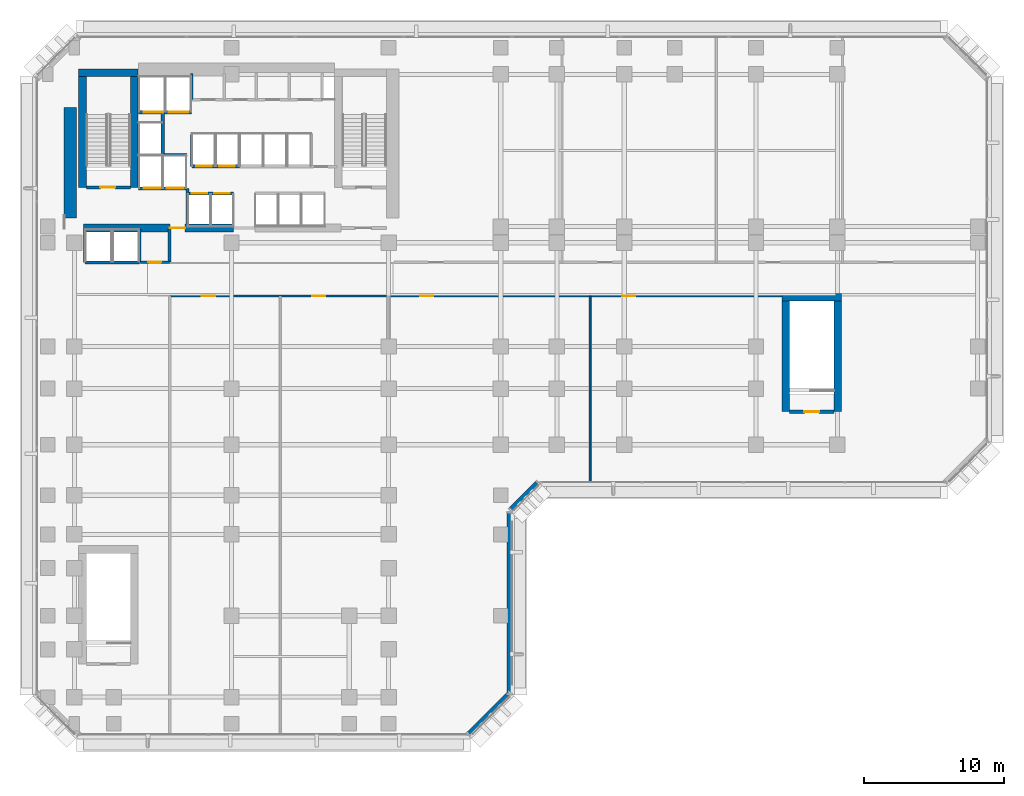
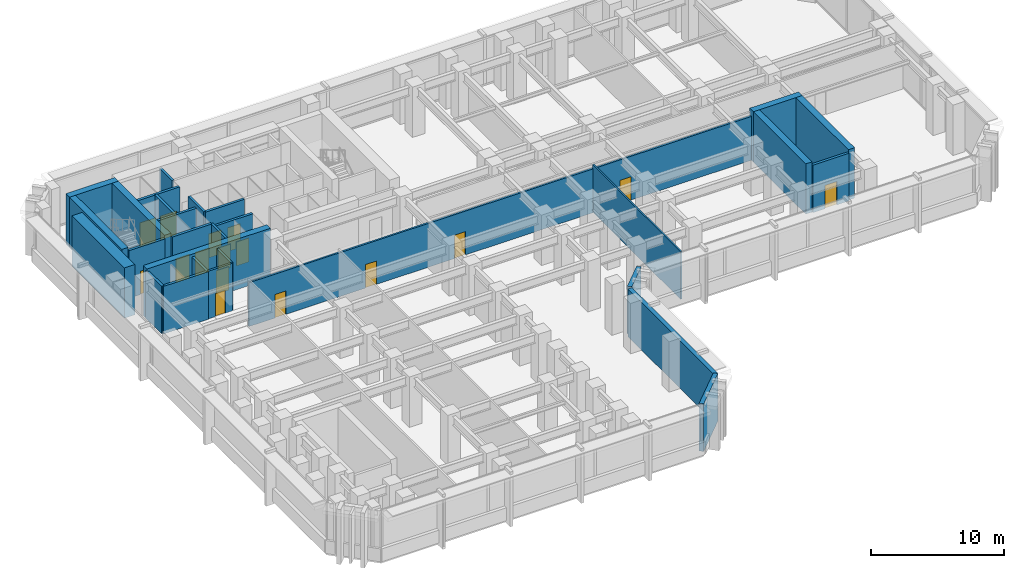
# One storey, part 7 of 14: 29 walls, 16 doors, 16 openings.
"""IFC4 building model written with IfcOpenShell, lengths in metres."""

from ifc_helpers import new_model, si_unit, direction, frame, frame_2d, origin, place, context, subcontext, project, spatial, rectangle, extrude, material, layer, layer_set, type_object, element, fill, save


model = new_model("IFC4")

# Units and contexts
model_context = context("Model", 3, precision=1e-05, world=origin(), true_north=direction((0.0, 1.0)))
body_context = subcontext(model_context, "Body", "Model", "MODEL_VIEW")
ifc_project = project(units=[si_unit("LENGTHUNIT", "METRE"), si_unit("AREAUNIT", "SQUARE_METRE"), si_unit("VOLUMEUNIT", "CUBIC_METRE"), si_unit("PLANEANGLEUNIT", "RADIAN"), si_unit("MASSUNIT", "GRAM", prefix="KILO")], contexts=[model_context])

# Site, building, storey
site_placement = place(None, origin())
site = spatial("IfcSite", under=ifc_project, at=site_placement, CompositionType="ELEMENT")
building_placement = place(site_placement, origin())
building = spatial("IfcBuilding", under=site, at=building_placement, Name="Kefirva Bronze Tower", CompositionType="ELEMENT")
storey_placement = place(building_placement, frame((0.0, 0.0, 25.739990234375)))
storey = spatial("IfcBuildingStorey", under=building, at=storey_placement, Name="L05", CompositionType="ELEMENT", Elevation=25.739990234375)

# Wall
ifc_material_1 = material(Name="Gypsum acoustic partition")
ifc_layer_1 = layer(ifc_material_1, 0.1298828125, Name="Gypsum acoustic partition")
ifc_layer_set_1 = layer_set([ifc_layer_1], Name="Gypsum acoustic partition")
wall_type_1 = type_object("IfcWallType", Name="Acoustic Office Partition 130mm", PredefinedType="PARTITIONING", material=ifc_layer_set_1)
wall_1_placement = place(storey_placement, frame((37.570068359375, 16.18994140625, 0.0), z_axis=(0.0, 0.0, 1.0), x_axis=(0.0, 1.0, 0.0)))
element("IfcWall", 1, at=wall_1_placement, inside=storey, type_object=wall_type_1, Name="L05 Partition W-L05-SDV3", PredefinedType="PARTITIONING", context=body_context, shape_type="SweptSolid", body=[
    extrude(rectangle(XDim=13.2099609375, YDim=0.1298828125, at=frame_2d((6.60498046875, 0.0))), origin(), (0.0, 0.0, 1.0), 4.3701171875),
])

# Wall, opening, door
ifc_material_2 = material(Name="Gypsum fireboard shaftwall")
ifc_layer_2 = layer(ifc_material_2, 0.219970703125, Name="Gypsum fireboard shaftwall")
ifc_layer_set_2 = layer_set([ifc_layer_2], Name="Gypsum fireboard shaftwall")
wall_type_2 = type_object("IfcWallType", Name="Fire-Rated Shaft Enclosure Wall 220mm", PredefinedType="PARTITIONING", material=ifc_layer_set_2)
wall_2_placement = place(storey_placement, frame((1.64990234375, 37.14990234375, 0.0), z_axis=(0.0, 0.0, 1.0), x_axis=(1.0, 0.0, 0.0)))
wall_2 = element("IfcWall", 2, at=wall_2_placement, inside=storey, type_object=wall_type_2, Name="L05 Partition W-L05-ST1S", PredefinedType="PARTITIONING", context=body_context, shape_type="SweptSolid", body=[
    extrude(rectangle(XDim=3.150146484375, YDim=0.219970703125, at=frame_2d((1.5751953125, 0.0))), origin(), (0.0, 0.0, 1.0), 4.3701171875),
])
opening_1_placement = place(wall_2_placement, frame((2.050048828125, 0.0, 0.0), z_axis=(0.0, 0.0, 1.0), x_axis=(-1.0, 0.0, 0.0)))
opening_1 = element("IfcOpeningElement", 3, at=opening_1_placement, cuts=wall_2, Name="Opening L05-D001", PredefinedType="OPENING", context=body_context, shape_type="SweptSolid", body=[
    extrude(rectangle(XDim=1.050048828125, YDim=2.14990234375, at=frame_2d((0.52490234375, 1.074951171875))), frame((0.0, 0.1201171875, 0.0), z_axis=(0.0, -1.0, 0.0), x_axis=(1.0, 0.0, 0.0)), (0.0, 0.0, 1.0), 0.239990234375),
])
ifc_material_3 = material(Name="Painted galvanized steel", Category="steel")
door_type_1 = type_object("IfcDoorType", Name="Fire Stair Enclosure Door 1050x2150 FD90S", OperationType="NOTDEFINED", PredefinedType="DOOR", material=ifc_material_3)
door_1_placement = place(opening_1_placement, origin())
door_1 = element("IfcDoor", 4, at=door_1_placement, inside=storey, type_object=door_type_1, Name="Door L05-D001", OperationType="SINGLE_SWING_LEFT", OverallHeight=2.14990234375, OverallWidth=1.050048828125, PredefinedType="DOOR", context=body_context, shape_type="SweptSolid", body=[
    extrude(rectangle(XDim=1.050048828125, YDim=2.14990234375, at=frame_2d((0.52490234375, 1.074951171875))), frame((0.0, 0.02490234375, 0.0), z_axis=(0.0, -1.0, 0.0), x_axis=(1.0, 0.0, 0.0)), (0.0, 0.0, 1.0), 0.050048828125),
])
fill(opening_1, door_1)

# Wall, openings, doors
wall_3_placement = place(storey_placement, frame((5.3798828125, 37.080078125, 0.0), z_axis=(0.0, 0.0, 1.0), x_axis=(1.0, 0.0, 0.0)))
wall_3 = element("IfcWall", 5, at=wall_3_placement, inside=storey, type_object=wall_type_2, Name="L05 Partition W-L05-FFS", PredefinedType="PARTITIONING", context=body_context, shape_type="SweptSolid", body=[
    extrude(rectangle(XDim=3.460205078125, YDim=0.219970703125, at=frame_2d((1.72998046875, 0.0))), origin(), (0.0, 0.0, 1.0), 4.3701171875),
])
opening_2_placement = place(wall_3_placement, frame((1.550048828125, 0.0, 0.0), z_axis=(0.0, 0.0, 1.0), x_axis=(-1.0, 0.0, 0.0)))
opening_2 = element("IfcOpeningElement", 6, at=opening_2_placement, cuts=wall_3, Name="Opening L05-LD-FF1", PredefinedType="OPENING", context=body_context, shape_type="SweptSolid", body=[
    extrude(rectangle(XDim=1.199951171875, YDim=2.199951171875, at=frame_2d((0.60009765625, 1.10009765625))), frame((0.0, 0.1201171875, 0.0), z_axis=(0.0, -1.0, 0.0), x_axis=(1.0, 0.0, 0.0)), (0.0, 0.0, 1.0), 0.239990234375),
])
opening_3_placement = place(wall_3_placement, frame((3.219970703125, 0.0, 0.0), z_axis=(0.0, 0.0, 1.0), x_axis=(-1.0, 0.0, 0.0)))
opening_3 = element("IfcOpeningElement", 7, at=opening_3_placement, cuts=wall_3, Name="Opening L05-LD-FF2", PredefinedType="OPENING", context=body_context, shape_type="SweptSolid", body=[
    extrude(rectangle(XDim=1.199951171875, YDim=2.199951171875, at=frame_2d((0.60009765625, 1.10009765625))), frame((0.0, 0.1201171875, 0.0), z_axis=(0.0, -1.0, 0.0), x_axis=(1.0, 0.0, 0.0)), (0.0, 0.0, 1.0), 0.239990234375),
])
ifc_material_4 = material(Name="Stainless steel 316", Category="steel")
door_type_2 = type_object("IfcDoorType", Name="Firefighting Lift Sliding Door 1200x2200", OperationType="SLIDING_TO_RIGHT", PredefinedType="DOOR", material=ifc_material_4)
door_2_placement = place(opening_2_placement, origin())
door_2 = element("IfcDoor", 8, at=door_2_placement, inside=storey, type_object=door_type_2, Name="Door L05-LD-FF1", OperationType="SLIDING_TO_RIGHT", OverallHeight=2.199951171875, OverallWidth=1.199951171875, PredefinedType="DOOR", context=body_context, shape_type="SweptSolid", body=[
    extrude(rectangle(XDim=1.199951171875, YDim=2.199951171875, at=frame_2d((0.60009765625, 1.10009765625))), frame((0.0, 0.02490234375, 0.0), z_axis=(0.0, -1.0, 0.0), x_axis=(1.0, 0.0, 0.0)), (0.0, 0.0, 1.0), 0.050048828125),
])
fill(opening_2, door_2)
door_3_placement = place(opening_3_placement, origin())
door_3 = element("IfcDoor", 9, at=door_3_placement, inside=storey, type_object=door_type_2, Name="Door L05-LD-FF2", OperationType="SLIDING_TO_RIGHT", OverallHeight=2.199951171875, OverallWidth=1.199951171875, PredefinedType="DOOR", context=body_context, shape_type="SweptSolid", body=[
    extrude(rectangle(XDim=1.199951171875, YDim=2.199951171875, at=frame_2d((0.60009765625, 1.10009765625))), frame((0.0, 0.02490234375, 0.0), z_axis=(0.0, -1.0, 0.0), x_axis=(1.0, 0.0, 0.0)), (0.0, 0.0, 1.0), 0.050048828125),
])
fill(opening_3, door_3)

# Wall
wall_4_placement = place(storey_placement, frame((5.3798828125, 39.449951171875, 0.0), z_axis=(0.0, 0.0, 1.0), x_axis=(1.0, 0.0, 0.0)))
element("IfcWall", 10, at=wall_4_placement, inside=storey, type_object=wall_type_2, Name="L05 Partition W-L05-FFN", PredefinedType="PARTITIONING", context=body_context, shape_type="SweptSolid", body=[
    extrude(rectangle(XDim=3.460205078125, YDim=0.219970703125, at=frame_2d((1.72998046875, 0.0))), origin(), (0.0, 0.0, 1.0), 4.3701171875),
])

# Wall, openings, doors
wall_5_placement = place(storey_placement, frame((5.3798828125, 42.5, 0.0), z_axis=(0.0, 0.0, 1.0), x_axis=(1.0, 0.0, 0.0)))
wall_5 = element("IfcWall", 11, at=wall_5_placement, inside=storey, type_object=wall_type_2, Name="L05 Partition W-L05-SVS", PredefinedType="PARTITIONING", context=body_context, shape_type="SweptSolid", body=[
    extrude(rectangle(XDim=3.77001953125, YDim=0.219970703125, at=frame_2d((1.885009765625, 0.0))), origin(), (0.0, 0.0, 1.0), 4.3701171875),
])
opening_4_placement = place(wall_5_placement, frame((1.75, 0.0, 0.0), z_axis=(0.0, 0.0, 1.0), x_axis=(-1.0, 0.0, 0.0)))
opening_4 = element("IfcOpeningElement", 12, at=opening_4_placement, cuts=wall_5, Name="Opening L05-LD-SV1", PredefinedType="OPENING", context=body_context, shape_type="SweptSolid", body=[
    extrude(rectangle(XDim=1.39990234375, YDim=2.199951171875, at=frame_2d((0.699951171875, 1.10009765625))), frame((0.0, 0.1201171875, 0.0), z_axis=(0.0, -1.0, 0.0), x_axis=(1.0, 0.0, 0.0)), (0.0, 0.0, 1.0), 0.239990234375),
])
opening_5_placement = place(wall_5_placement, frame((3.52978515625, 0.0, 0.0), z_axis=(0.0, 0.0, 1.0), x_axis=(-1.0, 0.0, 0.0)))
opening_5 = element("IfcOpeningElement", 13, at=opening_5_placement, cuts=wall_5, Name="Opening L05-LD-SV2", PredefinedType="OPENING", context=body_context, shape_type="SweptSolid", body=[
    extrude(rectangle(XDim=1.39990234375, YDim=2.199951171875, at=frame_2d((0.699951171875, 1.10009765625))), frame((0.0, 0.1201171875, 0.0), z_axis=(0.0, -1.0, 0.0), x_axis=(1.0, 0.0, 0.0)), (0.0, 0.0, 1.0), 0.239990234375),
])
door_type_3 = type_object("IfcDoorType", Name="Goods Lift Bi-Parting Sliding Door 1400x2200", OperationType="SLIDING_TO_LEFT", PredefinedType="DOOR", material=ifc_material_4)
door_4_placement = place(opening_4_placement, origin())
door_4 = element("IfcDoor", 14, at=door_4_placement, inside=storey, type_object=door_type_3, Name="Door L05-LD-SV1", OperationType="SLIDING_TO_LEFT", OverallHeight=2.199951171875, OverallWidth=1.39990234375, PredefinedType="DOOR", context=body_context, shape_type="SweptSolid", body=[
    extrude(rectangle(XDim=1.39990234375, YDim=2.199951171875, at=frame_2d((0.699951171875, 1.10009765625))), frame((0.0, 0.02490234375, 0.0), z_axis=(0.0, -1.0, 0.0), x_axis=(1.0, 0.0, 0.0)), (0.0, 0.0, 1.0), 0.050048828125),
])
fill(opening_4, door_4)
door_5_placement = place(opening_5_placement, origin())
door_5 = element("IfcDoor", 15, at=door_5_placement, inside=storey, type_object=door_type_3, Name="Door L05-LD-SV2", OperationType="SLIDING_TO_LEFT", OverallHeight=2.199951171875, OverallWidth=1.39990234375, PredefinedType="DOOR", context=body_context, shape_type="SweptSolid", body=[
    extrude(rectangle(XDim=1.39990234375, YDim=2.199951171875, at=frame_2d((0.699951171875, 1.10009765625))), frame((0.0, 0.02490234375, 0.0), z_axis=(0.0, -1.0, 0.0), x_axis=(1.0, 0.0, 0.0)), (0.0, 0.0, 1.0), 0.050048828125),
])
fill(opening_5, door_5)

# Walls
wall_6_placement = place(storey_placement, frame((7.10009765625, 39.52001953125, 0.0), z_axis=(0.0, 0.0, 1.0), x_axis=(0.0, 1.0, 0.0)))
element("IfcWall", 16, at=wall_6_placement, inside=storey, type_object=wall_type_2, Name="L05 Partition W-L05-HP3E", PredefinedType="PARTITIONING", context=body_context, shape_type="SweptSolid", body=[
    extrude(rectangle(XDim=2.929931640625, YDim=0.219970703125, at=frame_2d((1.46484375, 0.0))), origin(), (0.0, 0.0, 1.0), 4.3701171875),
])
wall_7_placement = place(storey_placement, frame((1.550048828125, 31.800048828125, 0.0), z_axis=(0.0, 0.0, 1.0), x_axis=(1.0, 0.0, 0.0)))
element("IfcWall", 17, at=wall_7_placement, inside=storey, type_object=wall_type_2, Name="L05 Partition W-L05-OBS", PredefinedType="PARTITIONING", context=body_context, shape_type="SweptSolid", body=[
    extrude(rectangle(XDim=3.89990234375, YDim=0.219970703125, at=frame_2d((1.949951171875, 0.0))), origin(), (0.0, 0.0, 1.0), 4.3701171875),
])
for number, where, z_axis, x_axis, name in (
    (18, (1.550048828125, 31.800048828125, 0.0), (0.0, 0.0, 1.0), (0.0, 1.0, 0.0), "L05 Partition W-L05-OBW"),
    (19, (5.449951171875, 31.800048828125, 0.0), (0.0, 0.0, 1.0), (0.0, 1.0, 0.0), "L05 Partition W-L05-OBE"),
):
    element("IfcWall", number, at=place(storey_placement, frame(where, z_axis=z_axis, x_axis=x_axis)), inside=storey, type_object=wall_type_2, Name=name, PredefinedType="PARTITIONING", context=body_context, shape_type="SweptSolid", body=[
        extrude(rectangle(XDim=2.3798828125, YDim=0.219970703125, at=frame_2d((1.18994140625, 0.0))), origin(), (0.0, 0.0, 1.0), 4.3701171875),
    ])
wall_8_placement = place(storey_placement, frame((9.159912109375, 38.64990234375, 0.0), z_axis=(0.0, 0.0, 1.0), x_axis=(0.0, 1.0, 0.0)))
element("IfcWall", 20, at=wall_8_placement, inside=storey, type_object=wall_type_2, Name="L05 Partition W-L05-LP3W", PredefinedType="PARTITIONING", context=body_context, shape_type="SweptSolid", body=[
    extrude(rectangle(XDim=2.35009765625, YDim=0.199951171875, at=frame_2d((1.175048828125, 0.0))), origin(), (0.0, 0.0, 1.0), 4.3701171875),
])

# Wall, openings, doors
wall_9_placement = place(storey_placement, frame((8.89990234375, 36.699951171875, 0.0), z_axis=(0.0, 0.0, 1.0), x_axis=(1.0, 0.0, 0.0)))
wall_9 = element("IfcWall", 21, at=wall_9_placement, inside=storey, type_object=wall_type_2, Name="L05 Partition W-L05-LPS", PredefinedType="PARTITIONING", context=body_context, shape_type="SweptSolid", body=[
    extrude(rectangle(XDim=3.260009765625, YDim=0.219970703125, at=frame_2d((1.6298828125, 0.0))), origin(), (0.0, 0.0, 1.0), 4.3701171875),
])
opening_6_placement = place(wall_9_placement, frame((0.260009765625, 0.0, 0.0)))
opening_6 = element("IfcOpeningElement", 22, at=opening_6_placement, cuts=wall_9, Name="Opening L05-LD-LP1", PredefinedType="OPENING", context=body_context, shape_type="SweptSolid", body=[
    extrude(rectangle(XDim=1.10009765625, YDim=2.199951171875, at=frame_2d((0.550048828125, 1.10009765625))), frame((0.0, 0.1201171875, 0.0), z_axis=(0.0, -1.0, 0.0), x_axis=(1.0, 0.0, 0.0)), (0.0, 0.0, 1.0), 0.239990234375),
])
opening_7_placement = place(wall_9_placement, frame((1.8798828125, 0.0, 0.0)))
opening_7 = element("IfcOpeningElement", 23, at=opening_7_placement, cuts=wall_9, Name="Opening L05-LD-LP2", PredefinedType="OPENING", context=body_context, shape_type="SweptSolid", body=[
    extrude(rectangle(XDim=1.10009765625, YDim=2.199951171875, at=frame_2d((0.550048828125, 1.10009765625))), frame((0.0, 0.1201171875, 0.0), z_axis=(0.0, -1.0, 0.0), x_axis=(1.0, 0.0, 0.0)), (0.0, 0.0, 1.0), 0.239990234375),
])
door_type_4 = type_object("IfcDoorType", Name="Passenger Lift Sliding Landing Door 1100x2200", OperationType="SLIDING_TO_LEFT", PredefinedType="DOOR", material=ifc_material_4)
door_6_placement = place(opening_6_placement, origin())
door_6 = element("IfcDoor", 24, at=door_6_placement, inside=storey, type_object=door_type_4, Name="Door L05-LD-LP1", OperationType="SLIDING_TO_LEFT", OverallHeight=2.199951171875, OverallWidth=1.10009765625, PredefinedType="DOOR", context=body_context, shape_type="SweptSolid", body=[
    extrude(rectangle(XDim=1.10009765625, YDim=2.199951171875, at=frame_2d((0.550048828125, 1.10009765625))), frame((0.0, 0.02490234375, 0.0), z_axis=(0.0, -1.0, 0.0), x_axis=(1.0, 0.0, 0.0)), (0.0, 0.0, 1.0), 0.050048828125),
])
fill(opening_6, door_6)
door_7_placement = place(opening_7_placement, origin())
door_7 = element("IfcDoor", 25, at=door_7_placement, inside=storey, type_object=door_type_4, Name="Door L05-LD-LP2", OperationType="SLIDING_TO_LEFT", OverallHeight=2.199951171875, OverallWidth=1.10009765625, PredefinedType="DOOR", context=body_context, shape_type="SweptSolid", body=[
    extrude(rectangle(XDim=1.10009765625, YDim=2.199951171875, at=frame_2d((0.550048828125, 1.10009765625))), frame((0.0, 0.02490234375, 0.0), z_axis=(0.0, -1.0, 0.0), x_axis=(1.0, 0.0, 0.0)), (0.0, 0.0, 1.0), 0.050048828125),
])
fill(opening_7, door_7)

wall_10_placement = place(storey_placement, frame((9.179931640625, 38.64990234375, 0.0), z_axis=(0.0, 0.0, 1.0), x_axis=(1.0, 0.0, 0.0)))
wall_10 = element("IfcWall", 26, at=wall_10_placement, inside=storey, type_object=wall_type_2, Name="L05 Partition W-L05-LPN", PredefinedType="PARTITIONING", context=body_context, shape_type="SweptSolid", body=[
    extrude(rectangle(XDim=3.380126953125, YDim=0.219970703125, at=frame_2d((1.68994140625, 0.0))), origin(), (0.0, 0.0, 1.0), 4.3701171875),
])
opening_8_placement = place(wall_10_placement, frame((0.300048828125, 0.0, 0.0)))
opening_8 = element("IfcOpeningElement", 27, at=opening_8_placement, cuts=wall_10, Name="Opening L05-LD-LP3", PredefinedType="OPENING", context=body_context, shape_type="SweptSolid", body=[
    extrude(rectangle(XDim=1.10009765625, YDim=2.199951171875, at=frame_2d((0.550048828125, 1.10009765625))), frame((0.0, 0.1201171875, 0.0), z_axis=(0.0, -1.0, 0.0), x_axis=(1.0, 0.0, 0.0)), (0.0, 0.0, 1.0), 0.239990234375),
])
opening_9_placement = place(wall_10_placement, frame((1.949951171875, 0.0, 0.0)))
opening_9 = element("IfcOpeningElement", 28, at=opening_9_placement, cuts=wall_10, Name="Opening L05-LD-LP4", PredefinedType="OPENING", context=body_context, shape_type="SweptSolid", body=[
    extrude(rectangle(XDim=1.10009765625, YDim=2.199951171875, at=frame_2d((0.550048828125, 1.10009765625))), frame((0.0, 0.1201171875, 0.0), z_axis=(0.0, -1.0, 0.0), x_axis=(1.0, 0.0, 0.0)), (0.0, 0.0, 1.0), 0.239990234375),
])
door_8_placement = place(opening_8_placement, origin())
door_8 = element("IfcDoor", 29, at=door_8_placement, inside=storey, type_object=door_type_4, Name="Door L05-LD-LP3", OperationType="SLIDING_TO_LEFT", OverallHeight=2.199951171875, OverallWidth=1.10009765625, PredefinedType="DOOR", context=body_context, shape_type="SweptSolid", body=[
    extrude(rectangle(XDim=1.10009765625, YDim=2.199951171875, at=frame_2d((0.550048828125, 1.10009765625))), frame((0.0, 0.02490234375, 0.0), z_axis=(0.0, -1.0, 0.0), x_axis=(1.0, 0.0, 0.0)), (0.0, 0.0, 1.0), 0.050048828125),
])
fill(opening_8, door_8)
door_9_placement = place(opening_9_placement, origin())
door_9 = element("IfcDoor", 30, at=door_9_placement, inside=storey, type_object=door_type_4, Name="Door L05-LD-LP4", OperationType="SLIDING_TO_LEFT", OverallHeight=2.199951171875, OverallWidth=1.10009765625, PredefinedType="DOOR", context=body_context, shape_type="SweptSolid", body=[
    extrude(rectangle(XDim=1.10009765625, YDim=2.199951171875, at=frame_2d((0.550048828125, 1.10009765625))), frame((0.0, 0.02490234375, 0.0), z_axis=(0.0, -1.0, 0.0), x_axis=(1.0, 0.0, 0.0)), (0.0, 0.0, 1.0), 0.050048828125),
])
fill(opening_9, door_9)

# Wall, opening, door
wall_11_placement = place(storey_placement, frame((51.800048828125, 21.14990234375, 0.0), z_axis=(0.0, 0.0, 1.0), x_axis=(1.0, 0.0, 0.0)))
wall_11 = element("IfcWall", 31, at=wall_11_placement, inside=storey, type_object=wall_type_2, Name="L05 Partition W-L05-ST4S", PredefinedType="PARTITIONING", context=body_context, shape_type="SweptSolid", body=[
    extrude(rectangle(XDim=3.14990234375, YDim=0.219970703125, at=frame_2d((1.574951171875, 0.0))), origin(), (0.0, 0.0, 1.0), 4.3701171875),
])
opening_10_placement = place(wall_11_placement, frame((2.10009765625, 0.0, 0.0), z_axis=(0.0, 0.0, 1.0), x_axis=(-1.0, 0.0, 0.0)))
opening_10 = element("IfcOpeningElement", 32, at=opening_10_placement, cuts=wall_11, Name="Opening L05-D-ST4", PredefinedType="OPENING", context=body_context, shape_type="SweptSolid", body=[
    extrude(rectangle(XDim=1.050048828125, YDim=2.14990234375, at=frame_2d((0.52490234375, 1.074951171875))), frame((0.0, 0.1201171875, 0.0), z_axis=(0.0, -1.0, 0.0), x_axis=(1.0, 0.0, 0.0)), (0.0, 0.0, 1.0), 0.239990234375),
])
door_10_placement = place(opening_10_placement, origin())
door_10 = element("IfcDoor", 33, at=door_10_placement, inside=storey, type_object=door_type_1, Name="Door L05-D-ST4", OperationType="SINGLE_SWING_RIGHT", OverallHeight=2.14990234375, OverallWidth=1.050048828125, PredefinedType="DOOR", context=body_context, shape_type="SweptSolid", body=[
    extrude(rectangle(XDim=1.050048828125, YDim=2.14990234375, at=frame_2d((0.52490234375, 1.074951171875))), frame((0.0, 0.02490234375, 0.0), z_axis=(0.0, -1.0, 0.0), x_axis=(1.0, 0.0, 0.0)), (0.0, 0.0, 1.0), 0.050048828125),
])
fill(opening_10, door_10)

# Walls
ifc_material_5 = material(Name="Gypsum fireboard barrier")
ifc_layer_3 = layer(ifc_material_5, 0.199951171875, Name="Gypsum fireboard barrier")
ifc_layer_set_3 = layer_set([ifc_layer_3], Name="Gypsum fireboard barrier")
wall_type_3 = type_object("IfcWallType", Name="Firefighting Lobby Barrier Wall 200mm", PredefinedType="PARTITIONING", material=ifc_layer_set_3)
wall_12_placement = place(storey_placement, frame((8.860107421875, 34.550048828125, 0.0), z_axis=(0.0, 0.0, 1.0), x_axis=(0.0, 1.0, 0.0)))
element("IfcWall", 34, at=wall_12_placement, inside=storey, type_object=wall_type_3, Name="L05 Partition W-L05-FFLE", PredefinedType="PARTITIONING", context=body_context, shape_type="SweptSolid", body=[
    extrude(rectangle(XDim=2.5, YDim=0.199951171875, at=frame_2d((1.25, 0.0))), origin(), (0.0, 0.0, 1.0), 4.3701171875),
])
ifc_material_6 = material(Name="Precast concrete C40/50", Category="concrete")
ifc_layer_4 = layer(ifc_material_6, 0.360107421875, Name="Precast concrete C40/50")
ifc_layer_set_4 = layer_set([ifc_layer_4], Name="Precast concrete C40/50")
wall_type_4 = type_object("IfcWallType", Name="Precast Podium Facade Wall 360mm", PredefinedType="SOLIDWALL", material=ifc_layer_set_4)
wall_13_placement = place(storey_placement, frame((28.91162109375, -1.833740234375, 0.0), z_axis=(0.0, 0.0, 1.0), x_axis=(0.707106781187, 0.707106781187, 0.0)))
element("IfcWall", 35, at=wall_13_placement, inside=storey, type_object=wall_type_4, Name="L05 Exterior Facade Wall 1", PredefinedType="SOLIDWALL", context=body_context, shape_type="SweptSolid", body=[
    extrude(rectangle(XDim=4.132568359375, YDim=0.360107421875, at=frame_2d((2.06640625, 0.0))), origin(), (0.0, 0.0, 1.0), 4.3701171875),
])
wall_14_placement = place(storey_placement, frame((31.820068359375, 1.054931640625, 0.0), z_axis=(0.0, 0.0, 1.0), x_axis=(0.0, 1.0, 0.0)))
element("IfcWall", 36, at=wall_14_placement, inside=storey, type_object=wall_type_4, Name="L05 Exterior Facade Wall 2", PredefinedType="SOLIDWALL", context=body_context, shape_type="SweptSolid", body=[
    extrude(rectangle(XDim=12.89013671875, YDim=0.360107421875, at=frame_2d((6.445068359375, 0.0))), origin(), (0.0, 0.0, 1.0), 4.3701171875),
])
wall_15_placement = place(storey_placement, frame((31.91162109375, 14.166259765625, 0.0), z_axis=(0.0, 0.0, 1.0), x_axis=(0.707106781187, 0.707106781187, 0.0)))
element("IfcWall", 37, at=wall_15_placement, inside=storey, type_object=wall_type_4, Name="L05 Exterior Facade Wall 3", PredefinedType="SOLIDWALL", context=body_context, shape_type="SweptSolid", body=[
    extrude(rectangle(XDim=2.71826171875, YDim=0.360107421875, at=frame_2d((1.359130859375, 0.0))), origin(), (0.0, 0.0, 1.0), 4.3701171875),
])

# Wall, openings, doors
ifc_layer_5 = layer(ifc_material_1, 0.159912109375, Name="Gypsum acoustic partition")
ifc_layer_set_5 = layer_set([ifc_layer_5], Name="Gypsum acoustic partition")
wall_type_5 = type_object("IfcWallType", Name="Protected Corridor Partition 160mm", PredefinedType="PARTITIONING", material=ifc_layer_set_5)
wall_16_placement = place(storey_placement, frame((7.60009765625, 29.39990234375, 0.0), z_axis=(0.0, 0.0, 1.0), x_axis=(1.0, 0.0, 0.0)))
wall_16 = element("IfcWall", 38, at=wall_16_placement, inside=storey, type_object=wall_type_5, Name="L05 Partition W-L05-S", PredefinedType="PARTITIONING", context=body_context, shape_type="SweptSolid", body=[
    extrude(rectangle(XDim=43.75, YDim=0.159912109375, at=frame_2d((21.875, 0.0))), origin(), (0.0, 0.0, 1.0), 4.02490234375),
])
opening_11_placement = place(wall_16_placement, frame((2.280029296875, 0.0, 0.0)))
opening_11 = element("IfcOpeningElement", 39, at=opening_11_placement, cuts=wall_16, Name="Opening L05-D-S1", PredefinedType="OPENING", context=body_context, shape_type="SweptSolid", body=[
    extrude(rectangle(XDim=0.949951171875, YDim=2.14990234375, at=frame_2d((0.47509765625, 1.074951171875))), frame((0.0, 0.08984375, 0.0), z_axis=(0.0, -1.0, 0.0), x_axis=(1.0, 0.0, 0.0)), (0.0, 0.0, 1.0), 0.179931640625),
])
opening_12_placement = place(wall_16_placement, frame((10.14990234375, 0.0, 0.0)))
opening_12 = element("IfcOpeningElement", 40, at=opening_12_placement, cuts=wall_16, Name="Opening L05-D-S2", PredefinedType="OPENING", context=body_context, shape_type="SweptSolid", body=[
    extrude(rectangle(XDim=0.949951171875, YDim=2.14990234375, at=frame_2d((0.47509765625, 1.074951171875))), frame((0.0, 0.08984375, 0.0), z_axis=(0.0, -1.0, 0.0), x_axis=(1.0, 0.0, 0.0)), (0.0, 0.0, 1.0), 0.179931640625),
])
opening_13_placement = place(wall_16_placement, frame((17.85009765625, 0.0, 0.0)))
opening_13 = element("IfcOpeningElement", 41, at=opening_13_placement, cuts=wall_16, Name="Opening L05-D-S3", PredefinedType="OPENING", context=body_context, shape_type="SweptSolid", body=[
    extrude(rectangle(XDim=0.949951171875, YDim=2.14990234375, at=frame_2d((0.47509765625, 1.074951171875))), frame((0.0, 0.08984375, 0.0), z_axis=(0.0, -1.0, 0.0), x_axis=(1.0, 0.0, 0.0)), (0.0, 0.0, 1.0), 0.179931640625),
])
opening_14_placement = place(wall_16_placement, frame((32.25, 0.0, 0.0)))
opening_14 = element("IfcOpeningElement", 42, at=opening_14_placement, cuts=wall_16, Name="Opening L05-D-S4", PredefinedType="OPENING", context=body_context, shape_type="SweptSolid", body=[
    extrude(rectangle(XDim=0.949951171875, YDim=2.14990234375, at=frame_2d((0.47509765625, 1.074951171875))), frame((0.0, 0.08984375, 0.0), z_axis=(0.0, -1.0, 0.0), x_axis=(1.0, 0.0, 0.0)), (0.0, 0.0, 1.0), 0.179931640625),
])
ifc_material_7 = material(Name="Acoustic hardwood oak", Category="wood")
door_type_5 = type_object("IfcDoorType", Name="Office & Meeting Room Door 950x2150", OperationType="NOTDEFINED", PredefinedType="DOOR", material=ifc_material_7)
door_11_placement = place(opening_11_placement, origin())
door_11 = element("IfcDoor", 43, at=door_11_placement, inside=storey, type_object=door_type_5, Name="Door L05-D-S1", OperationType="SINGLE_SWING_LEFT", OverallHeight=2.14990234375, OverallWidth=0.949951171875, PredefinedType="DOOR", context=body_context, shape_type="SweptSolid", body=[
    extrude(rectangle(XDim=0.949951171875, YDim=2.14990234375, at=frame_2d((0.47509765625, 1.074951171875))), frame((0.0, 0.02490234375, 0.0), z_axis=(0.0, -1.0, 0.0), x_axis=(1.0, 0.0, 0.0)), (0.0, 0.0, 1.0), 0.050048828125),
])
fill(opening_11, door_11)
door_12_placement = place(opening_12_placement, origin())
door_12 = element("IfcDoor", 44, at=door_12_placement, inside=storey, type_object=door_type_5, Name="Door L05-D-S2", OperationType="SINGLE_SWING_RIGHT", OverallHeight=2.14990234375, OverallWidth=0.949951171875, PredefinedType="DOOR", context=body_context, shape_type="SweptSolid", body=[
    extrude(rectangle(XDim=0.949951171875, YDim=2.14990234375, at=frame_2d((0.47509765625, 1.074951171875))), frame((0.0, 0.02490234375, 0.0), z_axis=(0.0, -1.0, 0.0), x_axis=(1.0, 0.0, 0.0)), (0.0, 0.0, 1.0), 0.050048828125),
])
fill(opening_12, door_12)
door_13_placement = place(opening_13_placement, origin())
door_13 = element("IfcDoor", 45, at=door_13_placement, inside=storey, type_object=door_type_5, Name="Door L05-D-S3", OperationType="SINGLE_SWING_LEFT", OverallHeight=2.14990234375, OverallWidth=0.949951171875, PredefinedType="DOOR", context=body_context, shape_type="SweptSolid", body=[
    extrude(rectangle(XDim=0.949951171875, YDim=2.14990234375, at=frame_2d((0.47509765625, 1.074951171875))), frame((0.0, 0.02490234375, 0.0), z_axis=(0.0, -1.0, 0.0), x_axis=(1.0, 0.0, 0.0)), (0.0, 0.0, 1.0), 0.050048828125),
])
fill(opening_13, door_13)
door_14_placement = place(opening_14_placement, origin())
door_14 = element("IfcDoor", 46, at=door_14_placement, inside=storey, type_object=door_type_5, Name="Door L05-D-S4", OperationType="SINGLE_SWING_RIGHT", OverallHeight=2.14990234375, OverallWidth=0.949951171875, PredefinedType="DOOR", context=body_context, shape_type="SweptSolid", body=[
    extrude(rectangle(XDim=0.949951171875, YDim=2.14990234375, at=frame_2d((0.47509765625, 1.074951171875))), frame((0.0, 0.02490234375, 0.0), z_axis=(0.0, -1.0, 0.0), x_axis=(1.0, 0.0, 0.0)), (0.0, 0.0, 1.0), 0.050048828125),
])
fill(opening_14, door_14)

# Walls
ifc_material_8 = material(Name="Concrete C50/60", Category="concrete")
ifc_layer_6 = layer(ifc_material_8, 0.550048828125, Name="Concrete C50/60")
ifc_layer_set_6 = layer_set([ifc_layer_6], Name="Concrete C50/60")
wall_type_6 = type_object("IfcWallType", Name="RC Rear Core Interior Wall 550mm", PredefinedType="SHEAR", material=ifc_layer_set_6)
for number, where, z_axis, x_axis, name in (
    (47, (1.3701171875, 37.14990234375, 0.0), (0.0, 0.0, 1.0), (0.0, 1.0, 0.0), "L05 Stair 1 West Shear Wall"),
    (48, (5.070068359375, 37.14990234375, 0.0), (0.0, 0.0, 1.0), (0.0, 1.0, 0.0), "L05 Stair 1 East Shear Wall"),
):
    element("IfcWall", number, at=place(storey_placement, frame(where, z_axis=z_axis, x_axis=x_axis)), inside=storey, type_object=wall_type_6, Name=name, PredefinedType="SHEAR", context=body_context, shape_type="SweptSolid", body=[
        extrude(rectangle(XDim=7.89013671875, YDim=0.550048828125, at=frame_2d((3.945068359375, 0.0))), origin(), (0.0, 0.0, 1.0), 4.6201171875),
    ])
wall_17_placement = place(storey_placement, frame((1.10009765625, 45.320068359375, 0.0), z_axis=(0.0, 0.0, 1.0), x_axis=(1.0, 0.0, 0.0)))
element("IfcWall", 49, at=wall_17_placement, inside=storey, type_object=wall_type_6, Name="L05 Stair 1 North Shear Wall", PredefinedType="SHEAR", context=body_context, shape_type="SweptSolid", body=[
    extrude(rectangle(XDim=4.239990234375, YDim=0.550048828125, at=frame_2d((2.1201171875, 0.0))), origin(), (0.0, 0.0, 1.0), 4.6201171875),
])
for number, where, z_axis, x_axis, name in (
    (50, (51.52001953125, 21.14990234375, 0.0), (0.0, 0.0, 1.0), (0.0, 1.0, 0.0), "L05 Stair 4 West Shear Wall"),
    (51, (55.219970703125, 21.14990234375, 0.0), (0.0, 0.0, 1.0), (0.0, 1.0, 0.0), "L05 Stair 4 East Shear Wall"),
):
    element("IfcWall", number, at=place(storey_placement, frame(where, z_axis=z_axis, x_axis=x_axis)), inside=storey, type_object=wall_type_6, Name=name, PredefinedType="SHEAR", context=body_context, shape_type="SweptSolid", body=[
        extrude(rectangle(XDim=7.89013671875, YDim=0.550048828125, at=frame_2d((3.945068359375, 0.0))), origin(), (0.0, 0.0, 1.0), 4.6201171875),
    ])
wall_18_placement = place(storey_placement, frame((51.25, 29.320068359375, 0.0), z_axis=(0.0, 0.0, 1.0), x_axis=(1.0, 0.0, 0.0)))
element("IfcWall", 52, at=wall_18_placement, inside=storey, type_object=wall_type_6, Name="L05 Stair 4 North Shear Wall", PredefinedType="SHEAR", context=body_context, shape_type="SweptSolid", body=[
    extrude(rectangle(XDim=4.239990234375, YDim=0.550048828125, at=frame_2d((2.1201171875, 0.0))), origin(), (0.0, 0.0, 1.0), 4.6201171875),
])
ifc_material_9 = material(Name="Concrete C60/75", Category="concrete")
ifc_layer_7 = layer(ifc_material_9, 0.89990234375, Name="Concrete C60/75")
ifc_layer_set_7 = layer_set([ifc_layer_7], Name="Concrete C60/75")
wall_type_7 = type_object("IfcWallType", Name="RC Rear Core Interior Wall 900mm", PredefinedType="SHEAR", material=ifc_layer_set_7)
wall_19_placement = place(storey_placement, frame((0.5, 34.949951171875, 0.0), z_axis=(0.0, 0.0, 1.0), x_axis=(0.0, 1.0, 0.0)))
element("IfcWall", 53, at=wall_19_placement, inside=storey, type_object=wall_type_7, Name="L05 Rear Core West Shear Wall", PredefinedType="SHEAR", context=body_context, shape_type="SweptSolid", body=[
    extrude(rectangle(XDim=7.900146484375, YDim=0.89990234375, at=frame_2d((3.9501953125, 0.0))), origin(), (0.0, 0.0, 1.0), 4.6201171875),
])

# Wall, opening, door
wall_20_placement = place(storey_placement, frame((1.449951171875, 34.25, 0.0), z_axis=(0.0, 0.0, 1.0), x_axis=(1.0, 0.0, 0.0)))
wall_20 = element("IfcWall", 54, at=wall_20_placement, inside=storey, type_object=wall_type_7, Name="L05 Rear Core South-West Shear Wall", PredefinedType="SHEAR", context=body_context, shape_type="SweptSolid", body=[
    extrude(rectangle(XDim=10.7099609375, YDim=0.550048828125, at=frame_2d((5.35498046875, 0.0))), origin(), (0.0, 0.0, 1.0), 4.6201171875),
])
opening_15_placement = place(wall_20_placement, frame((7.25, 0.0, 0.0), z_axis=(0.0, 0.0, 1.0), x_axis=(-1.0, 0.0, 0.0)))
opening_15 = element("IfcOpeningElement", 55, at=opening_15_placement, cuts=wall_20, Name="Opening L05-D002", PredefinedType="OPENING", context=body_context, shape_type="SweptSolid", body=[
    extrude(rectangle(XDim=1.10009765625, YDim=2.14990234375, at=frame_2d((0.550048828125, 1.074951171875))), frame((0.0, 0.28515625, 0.0), z_axis=(0.0, -1.0, 0.0), x_axis=(1.0, 0.0, 0.0)), (0.0, 0.0, 1.0), 0.570068359375),
])
door_type_6 = type_object("IfcDoorType", Name="Firefighting Lobby Smoke Door 1100x2150 FD60S", OperationType="NOTDEFINED", PredefinedType="DOOR", material=ifc_material_3)
door_15_placement = place(opening_15_placement, origin())
door_15 = element("IfcDoor", 56, at=door_15_placement, inside=storey, type_object=door_type_6, Name="Door L05-D002", OperationType="SINGLE_SWING_RIGHT", OverallHeight=2.14990234375, OverallWidth=1.10009765625, PredefinedType="DOOR", context=body_context, shape_type="SweptSolid", body=[
    extrude(rectangle(XDim=1.10009765625, YDim=2.14990234375, at=frame_2d((0.550048828125, 1.074951171875))), frame((0.0, 0.02490234375, 0.0), z_axis=(0.0, -1.0, 0.0), x_axis=(1.0, 0.0, 0.0)), (0.0, 0.0, 1.0), 0.050048828125),
])
fill(opening_15, door_15)

ifc_material_10 = material(Name="Moisture-resistant partition")
ifc_layer_8 = layer(ifc_material_10, 0.179931640625, Name="Moisture-resistant partition")
ifc_layer_set_8 = layer_set([ifc_layer_8], Name="Moisture-resistant partition")
wall_type_8 = type_object("IfcWallType", Name="Sanitary Plumbing Chase Wall 180mm", PredefinedType="PLUMBINGWALL", material=ifc_layer_set_8)
wall_21_placement = place(storey_placement, frame((5.5, 31.820068359375, 0.0), z_axis=(0.0, 0.0, 1.0), x_axis=(1.0, 0.0, 0.0)))
wall_21 = element("IfcWall", 57, at=wall_21_placement, inside=storey, type_object=wall_type_8, Name="L05 Partition W-L05-TCS", PredefinedType="PLUMBINGWALL", context=body_context, shape_type="SweptSolid", body=[
    extrude(rectangle(XDim=2.080078125, YDim=0.179931640625, at=frame_2d((1.0400390625, 0.0))), origin(), (0.0, 0.0, 1.0), 4.3701171875),
])
opening_16_placement = place(wall_21_placement, frame((1.47998046875, 0.0, 0.0), z_axis=(0.0, 0.0, 1.0), x_axis=(-1.0, 0.0, 0.0)))
opening_16 = element("IfcOpeningElement", 58, at=opening_16_placement, cuts=wall_21, Name="Opening L05-D-TCL1", PredefinedType="OPENING", context=body_context, shape_type="SweptSolid", body=[
    extrude(rectangle(XDim=0.89990234375, YDim=2.10009765625, at=frame_2d((0.449951171875, 1.050048828125))), frame((0.0, 0.10009765625, 0.0), z_axis=(0.0, -1.0, 0.0), x_axis=(1.0, 0.0, 0.0)), (0.0, 0.0, 1.0), 0.199951171875),
])
door_type_7 = type_object("IfcDoorType", Name="Telecom & Meter Fire Door 900x2100 FD60S", OperationType="NOTDEFINED", PredefinedType="DOOR", material=ifc_material_3)
door_16_placement = place(opening_16_placement, origin())
door_16 = element("IfcDoor", 59, at=door_16_placement, inside=storey, type_object=door_type_7, Name="Door L05-D-TCL1", OperationType="SINGLE_SWING_RIGHT", OverallHeight=2.10009765625, OverallWidth=0.89990234375, PredefinedType="DOOR", context=body_context, shape_type="SweptSolid", body=[
    extrude(rectangle(XDim=0.89990234375, YDim=2.10009765625, at=frame_2d((0.449951171875, 1.050048828125))), frame((0.0, 0.02490234375, 0.0), z_axis=(0.0, -1.0, 0.0), x_axis=(1.0, 0.0, 0.0)), (0.0, 0.0, 1.0), 0.050048828125),
])
fill(opening_16, door_16)

# Walls
wall_22_placement = place(storey_placement, frame((7.580078125, 31.820068359375, 0.0), z_axis=(0.0, 0.0, 1.0), x_axis=(0.0, 1.0, 0.0)))
element("IfcWall", 60, at=wall_22_placement, inside=storey, type_object=wall_type_8, Name="L05 Partition W-L05-TCE", PredefinedType="PLUMBINGWALL", context=body_context, shape_type="SweptSolid", body=[
    extrude(rectangle(XDim=2.35986328125, YDim=0.179931640625, at=frame_2d((1.179931640625, 0.0))), origin(), (0.0, 0.0, 1.0), 4.3701171875),
])
wall_23_placement = place(storey_placement, frame((9.14990234375, 43.39990234375, 0.0), z_axis=(0.0, 0.0, 1.0), x_axis=(0.0, 1.0, 0.0)))
element("IfcWall", 61, at=wall_23_placement, inside=storey, type_object=wall_type_8, Name="L05 Partition W-L05-SVCW", PredefinedType="PLUMBINGWALL", context=body_context, shape_type="SweptSolid", body=[
    extrude(rectangle(XDim=1.880126953125, YDim=0.179931640625, at=frame_2d((0.93994140625, 0.0))), origin(), (0.0, 0.0, 1.0), 4.3701171875),
])

save(model, "model.ifc")
